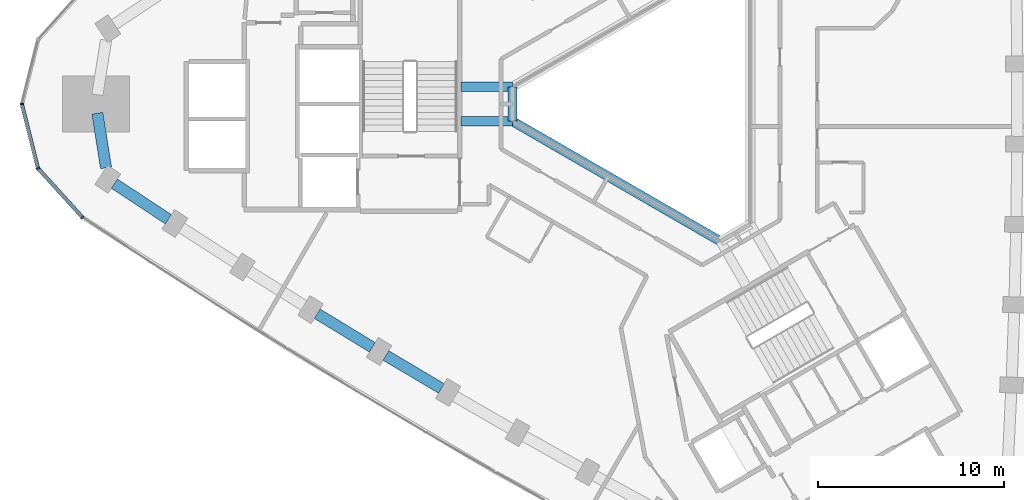
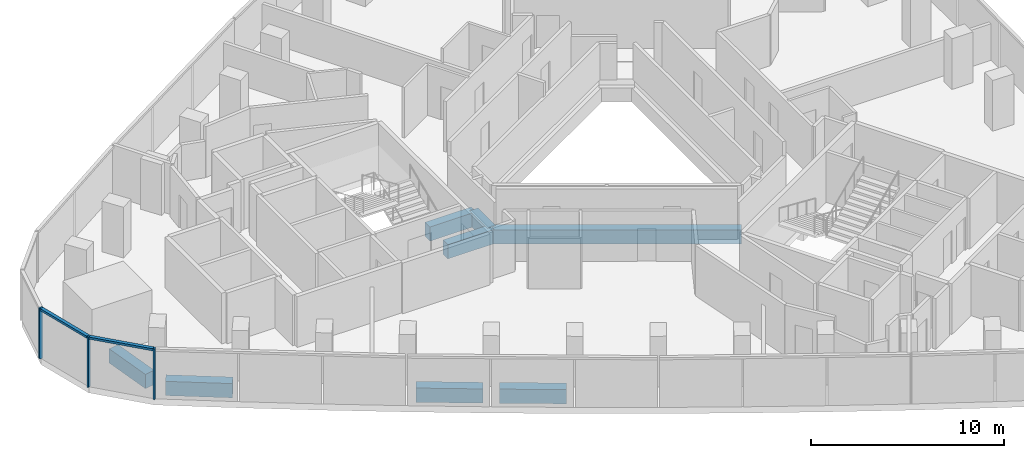
# One storey, part 2 of 12: 8 beams, 5 members, 2 elements without a shape of their own.
"""IFC4 building model written with IfcOpenShell, lengths in metres."""

from ifc_helpers import new_model, si_unit, direction, frame, origin, origin_2d, place, context, subcontext, project, spatial, rectangle, extrude, material, material_profile, profile_set, type_object, element, aggregate, save


model = new_model("IFC4")

# Units and contexts
model_context = context("Model", 3, precision=1e-05, world=origin(), true_north=direction((0.0, 1.0)))
body_context = subcontext(model_context, "Body", "Model", "MODEL_VIEW")
ifc_project = project(units=[si_unit("LENGTHUNIT", "METRE"), si_unit("AREAUNIT", "SQUARE_METRE"), si_unit("VOLUMEUNIT", "CUBIC_METRE"), si_unit("PLANEANGLEUNIT", "RADIAN"), si_unit("MASSUNIT", "GRAM", prefix="KILO")], contexts=[model_context])

# Site, building, storey
site_placement = place(None, origin())
site = spatial("IfcSite", under=ifc_project, at=site_placement, CompositionType="ELEMENT")
building_placement = place(site_placement, origin())
building = spatial("IfcBuilding", under=site, at=building_placement, Name="Tamra Quay Hotel Tower", CompositionType="ELEMENT")
storey_placement = place(building_placement, frame((0.0, 0.0, 154.0)))
storey = spatial("IfcBuildingStorey", under=building, at=storey_placement, Name="L38", CompositionType="ELEMENT", Elevation=154.0)

# Beams
ifc_material_1 = material(Name="Concrete M60", Category="concrete")
ifc_material_profile_1 = material_profile(ifc_material_1, rectangle(XDim=0.5, YDim=0.89990234375, at=origin_2d()), Name="ATRIUM EDGE BEAM RC 500x900")
ifc_profile_set_1 = profile_set([ifc_material_profile_1], Name="Concrete M60")
beam_type_1 = type_object("IfcBeamType", Name="ATRIUM EDGE BEAM RC 500x900", PredefinedType="BEAM", material=ifc_profile_set_1)
beam_1_placement = place(storey_placement, frame((3.199951171875, -7.39013671875, -0.85009765625), z_axis=(-0.866024942741, 0.500000798549, 0.0), x_axis=(-0.500000798549, -0.866024942741, 0.0)))
element("IfcBeam", 1, at=beam_1_placement, inside=storey, type_object=beam_type_1, Name="BM-AB2-L38", PredefinedType="BEAM", context=body_context, shape_type="SweptSolid", body=[
    extrude(rectangle(XDim=0.5, YDim=0.89990234375, at=origin_2d()), origin(), (0.0, 0.0, 1.0), 12.9326171875),
])
beam_2_placement = place(storey_placement, frame((-8.0, -0.923828125, -0.85009765625), z_axis=(0.0, 1.0, 0.0), x_axis=(-1.0, 0.0, 0.0)))
element("IfcBeam", 2, at=beam_2_placement, inside=storey, type_object=beam_type_1, Name="BM-AB3-L38", PredefinedType="BEAM", context=body_context, shape_type="SweptSolid", body=[
    extrude(rectangle(XDim=0.5, YDim=0.89990234375, at=origin_2d()), origin(), (0.0, 0.0, 1.0), 1.84765625),
])
ifc_material_profile_2 = material_profile(ifc_material_1, rectangle(XDim=0.5, YDim=0.89990234375, at=origin_2d()), Name="ATRIUM TIE BEAM RC 500x900")
ifc_profile_set_2 = profile_set([ifc_material_profile_2], Name="Concrete M60")
beam_type_2 = type_object("IfcBeamType", Name="ATRIUM TIE BEAM RC 500x900", PredefinedType="BEAM", material=ifc_profile_set_2)
for number, where, z_axis, x_axis, name in (
    (3, (-8.0, -0.923828125, -0.85009765625), (-1.0, 0.0, 0.0), (0.0, -1.0, 0.0), "BM-TIE-3-L38"),
    (4, (-8.0, 0.923828125, -0.85009765625), (-1.0, 0.0, 0.0), (0.0, -1.0, 0.0), "BM-TIE-4-L38"),
):
    element("IfcBeam", number, at=place(storey_placement, frame(where, z_axis=z_axis, x_axis=x_axis)), inside=storey, type_object=beam_type_2, Name=name, PredefinedType="BEAM", context=body_context, shape_type="SweptSolid", body=[
        extrude(rectangle(XDim=0.5, YDim=0.89990234375, at=origin_2d()), origin(), (0.0, 0.0, 1.0), 2.76220703125),
    ])

# Curtain wall, members
ifc_material_2 = material(Name="Aluminium 6063 anodised dark grey", Category="aluminium")
curtain_wall_type_1 = type_object("IfcCurtainWallType", Name="CW2 CURTAIN WALL", PredefinedType="NOTDEFINED", material=ifc_material_2)
curtain_wall_1_placement = place(storey_placement, origin())
curtain_wall_1 = element("IfcCurtainWall", 5, at=curtain_wall_1_placement, inside=storey, type_object=curtain_wall_type_1, Name="CW2 north-west face L38", PredefinedType="NOTDEFINED")
ifc_material_profile_3 = material_profile(ifc_material_2, rectangle(XDim=0.199951171875, YDim=0.10009765625, at=origin_2d()), Name="MULLION 100X200")
ifc_profile_set_3 = profile_set([ifc_material_profile_3], Name="Aluminium 6063 anodised dark grey")
member_type_1 = type_object("IfcMemberType", Name="MULLION CW2 Z3", PredefinedType="MULLION", material=ifc_profile_set_3)
member_1_placement = place(storey_placement, frame((-34.39990234375, 0.0, 0.0), z_axis=(0.0, 0.0, 1.0), x_axis=(-1.0, 0.0, 0.0)))
member_1 = element("IfcMember", 6, at=member_1_placement, type_object=member_type_1, Name="CW2 mullion L38.NW.14", PredefinedType="MULLION", context=body_context, shape_type="SweptSolid", body=[
    extrude(rectangle(XDim=0.199951171875, YDim=0.10009765625, at=origin_2d()), origin(), (0.0, 0.0, 1.0), 3.199951171875),
])
member_2_placement = place(storey_placement, frame((-33.533935546875, -3.4580078125, 0.0), z_axis=(0.0, 0.0, 1.0), x_axis=(-0.881925145425, -0.47138947577, 0.0)))
member_2 = element("IfcMember", 7, at=member_2_placement, type_object=member_type_1, Name="CW2 mullion L38.NW.15", PredefinedType="MULLION", context=body_context, shape_type="SweptSolid", body=[
    extrude(rectangle(XDim=0.199951171875, YDim=0.10009765625, at=origin_2d()), origin(), (0.0, 0.0, 1.0), 3.199951171875),
])

# Curtain wall, member
curtain_wall_type_2 = type_object("IfcCurtainWallType", Name="CW3 CURTAIN WALL", PredefinedType="NOTDEFINED", material=ifc_material_2)
curtain_wall_2_placement = place(storey_placement, origin())
curtain_wall_2 = element("IfcCurtainWall", 8, at=curtain_wall_2_placement, inside=storey, type_object=curtain_wall_type_2, Name="CW3 south-west face L38", PredefinedType="NOTDEFINED")
ifc_material_profile_4 = material_profile(ifc_material_2, rectangle(XDim=0.199951171875, YDim=0.10009765625, at=origin_2d()), Name="MULLION 100X200")
ifc_profile_set_4 = profile_set([ifc_material_profile_4], Name="Aluminium 6063 anodised dark grey")
member_type_2 = type_object("IfcMemberType", Name="MULLION CW3 Z3", PredefinedType="MULLION", material=ifc_profile_set_4)
member_3_placement = place(storey_placement, frame((-31.139892578125, -6.099365234375, 0.0), z_axis=(0.0, 0.0, 1.0), x_axis=(-0.650989203966, -0.759086988638, 0.0)))
member_3 = element("IfcMember", 9, at=member_3_placement, type_object=member_type_2, Name="CW3 mullion L38.SW.1", PredefinedType="MULLION", context=body_context, shape_type="SweptSolid", body=[
    extrude(rectangle(XDim=0.199951171875, YDim=0.10009765625, at=origin_2d()), origin(), (0.0, 0.0, 1.0), 3.199951171875),
])
aggregate(curtain_wall_2, [member_3])

# Beams
ifc_material_profile_5 = material_profile(ifc_material_1, rectangle(XDim=0.60009765625, YDim=0.89990234375, at=origin_2d()), Name="SPANDREL BEAM RC 600x900")
ifc_profile_set_5 = profile_set([ifc_material_profile_5], Name="Concrete M60")
beam_type_3 = type_object("IfcBeamType", Name="SPANDREL BEAM RC 600x900", PredefinedType="SPANDREL", material=ifc_profile_set_5)
beam_3_placement = place(storey_placement, frame((-30.336181640625, -0.493408203125, -0.85009765625), z_axis=(0.156337236308, -0.987703735208, 0.0), x_axis=(0.987703735208, 0.156337236308, 0.0)))
element("IfcBeam", 10, at=beam_3_placement, inside=storey, type_object=beam_type_3, Name="BM-SP3-025-L38", PredefinedType="SPANDREL", context=body_context, shape_type="SweptSolid", body=[
    extrude(rectangle(XDim=0.60009765625, YDim=0.89990234375, at=origin_2d()), origin(), (0.0, 0.0, 1.0), 2.97802734375),
])
beam_4_placement = place(storey_placement, frame((-29.41796875, -4.28759765625, -0.85009765625), z_axis=(0.834690851507, -0.55071878705, 0.0), x_axis=(0.55071878705, 0.834690851507, 0.0)))
element("IfcBeam", 11, at=beam_4_placement, inside=storey, type_object=beam_type_3, Name="BM-SP3-026-L38", PredefinedType="SPANDREL", context=body_context, shape_type="SweptSolid", body=[
    extrude(rectangle(XDim=0.60009765625, YDim=0.89990234375, at=origin_2d()), origin(), (0.0, 0.0, 1.0), 3.472412109375),
])
beam_5_placement = place(storey_placement, frame((-18.502197265625, -11.287109375, -0.85009765625), z_axis=(0.853835813207, -0.520542413339, 0.0), x_axis=(0.520542413339, 0.853835813207, 0.0)))
element("IfcBeam", 12, at=beam_5_placement, inside=storey, type_object=beam_type_3, Name="BM-SP3-029-L38", PredefinedType="SPANDREL", context=body_context, shape_type="SweptSolid", body=[
    extrude(rectangle(XDim=0.60009765625, YDim=0.89990234375, at=origin_2d()), origin(), (0.0, 0.0, 1.0), 3.47216796875),
])
beam_6_placement = place(storey_placement, frame((-14.80908203125, -13.53271484375, -0.85009765625), z_axis=(0.859988767784, -0.510312962098, 0.0), x_axis=(0.510312962098, 0.859988767784, 0.0)))
element("IfcBeam", 13, at=beam_6_placement, inside=storey, type_object=beam_type_3, Name="BM-SP3-030-L38", PredefinedType="SPANDREL", context=body_context, shape_type="SweptSolid", body=[
    extrude(rectangle(XDim=0.60009765625, YDim=0.89990234375, at=origin_2d()), origin(), (0.0, 0.0, 1.0), 3.472900390625),
])

# Member
ifc_material_profile_6 = material_profile(ifc_material_2, rectangle(XDim=0.199951171875, YDim=0.139892578125, at=origin_2d()), Name="TRANSOM 200X140")
ifc_profile_set_6 = profile_set([ifc_material_profile_6], Name="Aluminium 6063 anodised dark grey")
member_type_3 = type_object("IfcMemberType", Name="TRANSOM CW2 Z3", PredefinedType="USERDEFINED", material=ifc_profile_set_6)
member_4_placement = place(storey_placement, frame((-34.387939453125, -0.048583984375, 3.1298828125), z_axis=(0.243032991535, -0.970018023042, 0.0), x_axis=(0.970018023042, 0.243032991535, 0.0)))
member_4 = element("IfcMember", 14, at=member_4_placement, type_object=member_type_3, Name="CW2 transom L38.NW.14", ObjectType="TRANSOM", PredefinedType="USERDEFINED", context=body_context, shape_type="SweptSolid", body=[
    extrude(rectangle(XDim=0.199951171875, YDim=0.139892578125, at=origin_2d()), origin(), (0.0, 0.0, 1.0), 3.464599609375),
])

member_5_placement = place(storey_placement, frame((-33.500244140625, -3.4951171875, 3.1298828125), z_axis=(0.671553275013, -0.740956273217, 0.0), x_axis=(0.740956273217, 0.671553275013, 0.0)))
member_5 = element("IfcMember", 15, at=member_5_placement, type_object=member_type_3, Name="CW2 transom L38.NW.15", ObjectType="TRANSOM", PredefinedType="USERDEFINED", context=body_context, shape_type="SweptSolid", body=[
    extrude(rectangle(XDim=0.199951171875, YDim=0.139892578125, at=origin_2d()), origin(), (0.0, 0.0, 1.0), 3.46484375),
])

aggregate(curtain_wall_1, [member_1, member_4, member_2, member_5])

save(model, "model.ifc")
